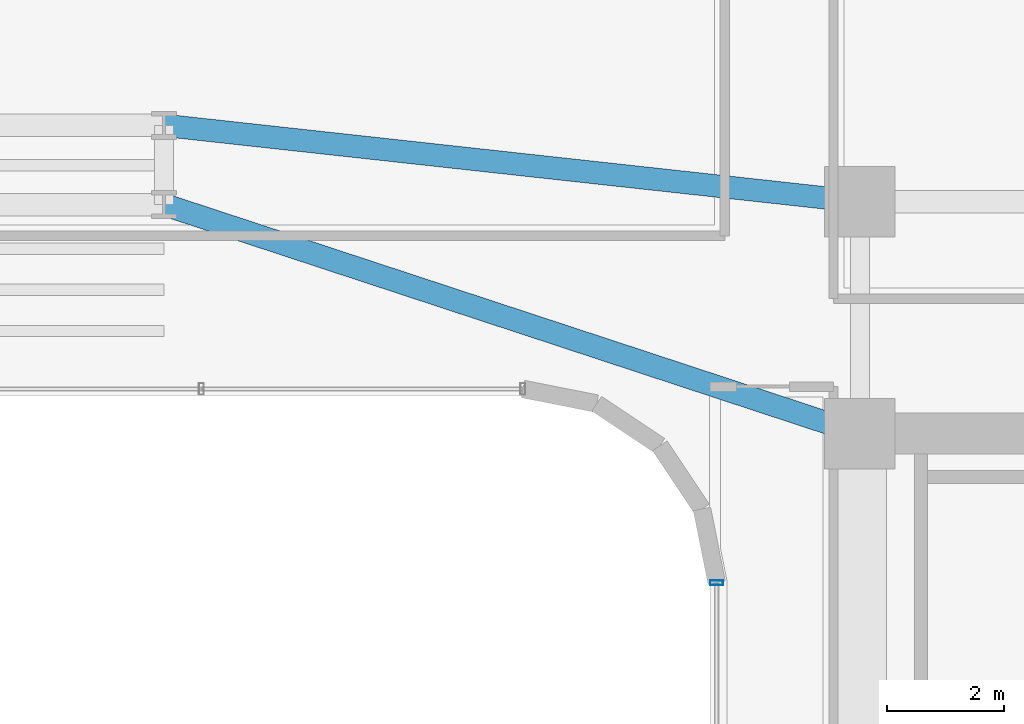
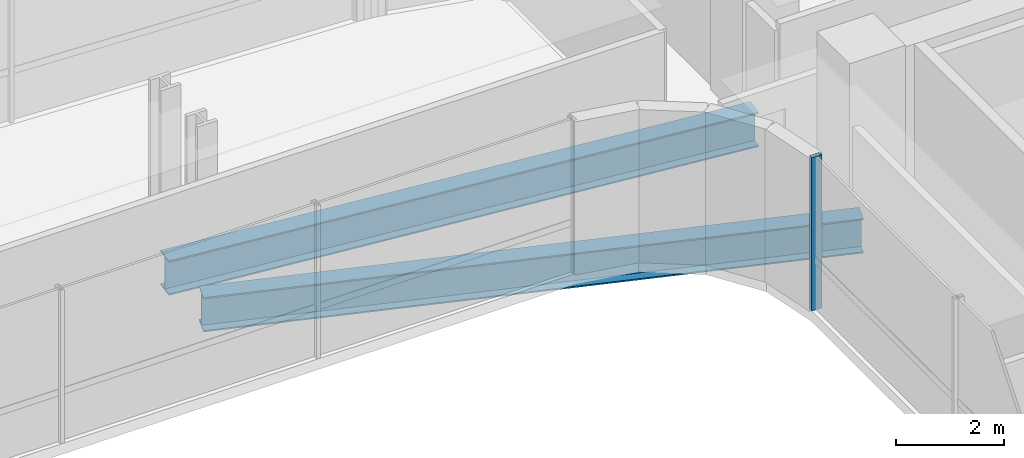
# One storey, part 16 of 35: 2 beams, 1 member, 1 element without a shape of its own.
"""IFC4 building model written with IfcOpenShell, lengths in metres."""

from ifc_helpers import new_model, si_unit, direction, frame, origin, origin_2d, place, context, subcontext, project, spatial, hollow_rectangle, i_section, extrude, source, transform, mapped, material, material_profile, profile_set, type_object, element, aggregate, save


model = new_model("IFC4")

# Units and contexts
model_context = context("Model", 3, precision=1e-05, world=origin(), true_north=direction((0.0, 1.0)))
body_context = subcontext(model_context, "Body", "Model", "MODEL_VIEW")
ifc_project = project(units=[si_unit("LENGTHUNIT", "METRE"), si_unit("AREAUNIT", "SQUARE_METRE"), si_unit("VOLUMEUNIT", "CUBIC_METRE"), si_unit("PLANEANGLEUNIT", "RADIAN"), si_unit("MASSUNIT", "GRAM", prefix="KILO")], contexts=[model_context])

# Site, building, storey
site_placement = place(None, origin())
site = spatial("IfcSite", under=ifc_project, at=site_placement, CompositionType="ELEMENT")
building_placement = place(site_placement, origin())
building = spatial("IfcBuilding", under=site, at=building_placement, Name="Valdorenza Pilgrim Sanctuary Tower", CompositionType="ELEMENT")
storey_placement = place(building_placement, frame((0.0, 0.0, 150.10009765625)))
storey = spatial("IfcBuildingStorey", under=building, at=storey_placement, Name="L38", CompositionType="ELEMENT", Elevation=150.10009765625)

# Beams
ifc_material_1 = material(Name="Steel ASTM A992 Grade 50", Category="steel")
ifc_material_profile_1 = material_profile(ifc_material_1, i_section(OverallWidth=0.382080078125, OverallDepth=0.779052734375, WebThickness=0.01806640625, FlangeThickness=0.030029296875, at=origin_2d()), Name="W30X191")
ifc_profile_set_1 = profile_set([ifc_material_profile_1], Name="Steel ASTM A992 Grade 50")
beam_type = type_object("IfcBeamType", Name="STR-BM-GRD-W30", PredefinedType="BEAM", material=ifc_profile_set_1)
shared_shape_1 = source(origin(), body_context, "Body", "SweptSolid", [
    extrude(i_section(OverallWidth=0.382080078125, OverallDepth=0.779052734375, WebThickness=0.01806640625, FlangeThickness=0.030029296875, at=origin_2d()), origin(), (0.0, 0.0, 1.0), 12.475341796875),
])
beam_1_placement = place(storey_placement, frame((4.0, 13.449951171875, -0.629638671875), z_axis=(0.949881908141, -0.312608957943, 0.0), x_axis=(0.312608957943, 0.949881908141, 0.0)))
element("IfcBeam", 1, at=beam_1_placement, inside=storey, type_object=beam_type, Name="L38 Floor Girder KNK-G3", PredefinedType="BEAM", context=body_context, shape_type="MappedRepresentation", body=[
    mapped(shared_shape_1, transform((0.0, 0.0, 0.0), x_axis=(1.0, 0.0, 0.0), y_axis=(0.0, 1.0, 0.0), z_axis=(0.0, 0.0, 1.0), scale=1.0)),
])
shared_shape_2 = source(origin(), body_context, "Body", "SweptSolid", [
    extrude(i_section(OverallWidth=0.382080078125, OverallDepth=0.779052734375, WebThickness=0.01806640625, FlangeThickness=0.030029296875, at=origin_2d()), origin(), (0.0, 0.0, 1.0), 11.921142578125),
])
beam_2_placement = place(storey_placement, frame((4.0, 14.800048828125, -0.629638671875), z_axis=(0.994035876607, -0.10905354656, 0.0), x_axis=(0.10905354656, 0.994035876607, 0.0)))
element("IfcBeam", 2, at=beam_2_placement, inside=storey, type_object=beam_type, Name="L38 Floor Girder KNK-G6", PredefinedType="BEAM", context=body_context, shape_type="MappedRepresentation", body=[
    mapped(shared_shape_2, transform((0.0, 0.0, 0.0), x_axis=(1.0, 0.0, 0.0), y_axis=(0.0, 1.0, 0.0), z_axis=(0.0, 0.0, 1.0), scale=1.0)),
])

# Curtain wall, member
ifc_material_2 = material(Name="Curtain-wall IGU glazing", Category="glass")
curtain_wall_type = type_object("IfcCurtainWallType", Name="CW-SYS-03", PredefinedType="NOTDEFINED", material=ifc_material_2)
curtain_wall_placement = place(storey_placement, origin())
curtain_wall = element("IfcCurtainWall", 3, at=curtain_wall_placement, inside=storey, type_object=curtain_wall_type, Name="L38 Curtain Wall CW-L38-1-31", PredefinedType="NOTDEFINED")
ifc_material_3 = material(Name="Anodised aluminium AW-6060", Category="aluminium")
ifc_material_profile_2 = material_profile(ifc_material_3, hollow_rectangle(XDim=0.0849609375, YDim=0.219970703125, WallThickness=0.0048828125, at=origin_2d()), Name="ALU-M 220x85x5")
ifc_profile_set_2 = profile_set([ifc_material_profile_2], Name="Anodised aluminium AW-6060")
member_type = type_object("IfcMemberType", Name="CW-MUL-03", PredefinedType="MULLION", material=ifc_profile_set_2)
shared_shape_3 = source(origin(), body_context, "Body", "SweptSolid", [
    extrude(hollow_rectangle(XDim=0.0849609375, YDim=0.219970703125, WallThickness=0.0048828125, at=origin_2d()), origin(), (0.0, 0.0, 1.0), 3.4599609375),
])
member_placement = place(storey_placement, frame((13.409912109375, 7.0107421875, 0.0), z_axis=(0.0, 0.0, 1.0), x_axis=(0.0, 1.0, 0.0)))
member = element("IfcMember", 4, at=member_placement, type_object=member_type, Name="CW-L38-1-31 Mullion 4", PredefinedType="MULLION", context=body_context, shape_type="MappedRepresentation", body=[
    mapped(shared_shape_3, transform((0.0, 0.0, 0.0), x_axis=(1.0, 0.0, 0.0), y_axis=(0.0, 1.0, 0.0), z_axis=(0.0, 0.0, 1.0), scale=1.0)),
])
aggregate(curtain_wall, [member])

save(model, "model.ifc")
